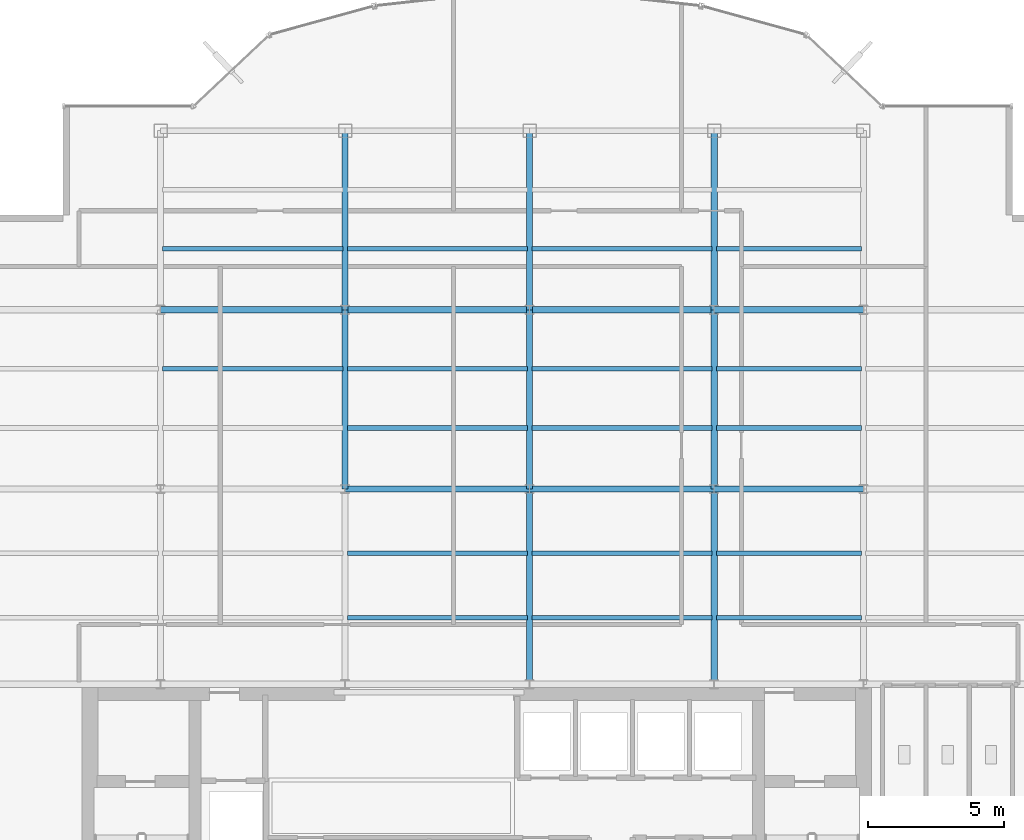
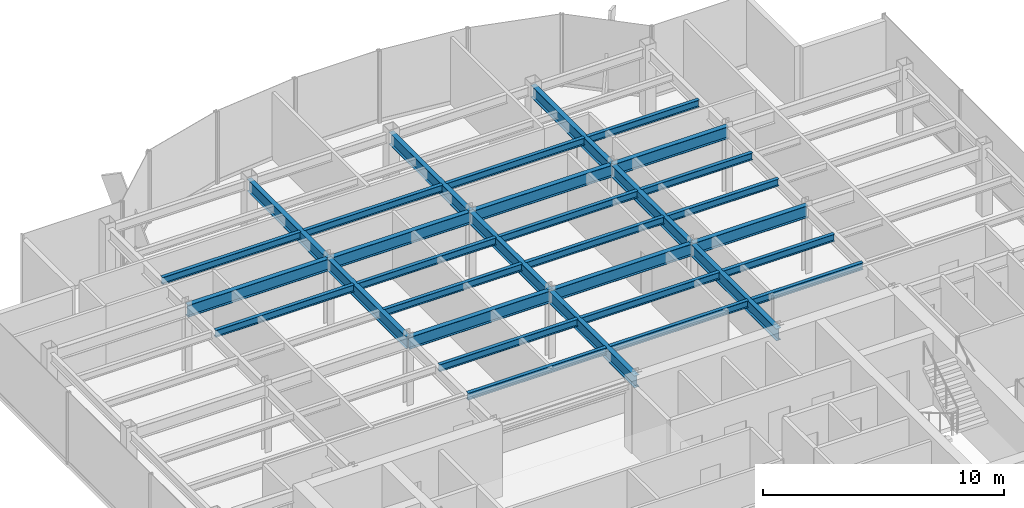
# One storey, part 8 of 22: 32 beams.
"""IFC4 building model written with IfcOpenShell, lengths in metres."""

from ifc_helpers import new_model, si_unit, derived_unit, direction, frame, origin, origin_2d, place, context, subcontext, project, spatial, i_section, extrude, source, transform, mapped, material, material_profile, profile_set, type_object, element, save


model = new_model("IFC4")

# Units and contexts
model_context = context("Model", 3, precision=1e-05, world=origin(), true_north=direction((0.0, 1.0)))
body_context = subcontext(model_context, "Body", "Model", "MODEL_VIEW")
ifc_project = project(units=[si_unit("LENGTHUNIT", "METRE"), si_unit("AREAUNIT", "SQUARE_METRE"), si_unit("VOLUMEUNIT", "CUBIC_METRE"), si_unit("PLANEANGLEUNIT", "RADIAN"), si_unit("MASSUNIT", "GRAM", prefix="KILO"), derived_unit("THERMALTRANSMITTANCEUNIT", [(si_unit("POWERUNIT", "WATT"), 1), (si_unit("LENGTHUNIT", "METRE"), -2), (si_unit("THERMODYNAMICTEMPERATUREUNIT", "KELVIN"), -1)])], contexts=[model_context])

# Site, building, storey
site_placement = place(None, origin())
site = spatial("IfcSite", under=ifc_project, at=site_placement, CompositionType="ELEMENT")
building_placement = place(site_placement, origin())
building = spatial("IfcBuilding", under=site, at=building_placement, Name="Skarnbrae Concourse Arena and Tower", CompositionType="ELEMENT")
storey_placement = place(building_placement, frame((0.0, 0.0, 203.199951171875)))
storey = spatial("IfcBuildingStorey", under=building, at=storey_placement, Name="L52", CompositionType="ELEMENT", Elevation=203.199951171875)

# Beams
ifc_material = material(Name="Steel CSA G40.21 350W", Category="steel")
ifc_material_profile_1 = material_profile(ifc_material, i_section(OverallWidth=0.22802734375, OverallDepth=0.60791015625, WebThickness=0.01123046875, FlangeThickness=0.017333984375, at=origin_2d()), Name="W610X113")
ifc_profile_set_1 = profile_set([ifc_material_profile_1], Name="Steel CSA G40.21 350W")
beam_type_1 = type_object("IfcBeamType", Name="BM-GIRD-W610X113", PredefinedType="BEAM", material=ifc_profile_set_1)
shared_shape_1 = source(origin(), body_context, "Body", "SweptSolid", [
    extrude(i_section(OverallWidth=0.22802734375, OverallDepth=0.60791015625, WebThickness=0.01123046875, FlangeThickness=0.017333984375, at=origin_2d()), origin(), (0.0, 0.0, 1.0), 6.60009765625),
])
for number, where, z_axis, x_axis, name in (
    (1, (14.39990234375, 21.199951171875, 3.095947265625), (0.0, 1.0, 0.0), (-1.0, 0.0, 0.0), "L52 Primary N-S girder X14.4-2"),
    (2, (21.199951171875, 21.199951171875, 3.095947265625), (0.0, 1.0, 0.0), (-1.0, 0.0, 0.0), "L52 Primary N-S girder X21.2-2"),
    (3, (28.0, 21.199951171875, 3.095947265625), (0.0, 1.0, 0.0), (-1.0, 0.0, 0.0), "L52 Primary N-S girder X28.0-2"),
):
    element("IfcBeam", number, at=place(storey_placement, frame(where, z_axis=z_axis, x_axis=x_axis)), inside=storey, type_object=beam_type_1, Name=name, PredefinedType="BEAM", context=body_context, shape_type="MappedRepresentation", body=[
        mapped(shared_shape_1, transform((0.0, 0.0, 0.0))),
    ])
shared_shape_2 = source(origin(), body_context, "Body", "SweptSolid", [
    extrude(i_section(OverallWidth=0.22802734375, OverallDepth=0.60791015625, WebThickness=0.01123046875, FlangeThickness=0.017333984375, at=origin_2d()), origin(), (0.0, 0.0, 1.0), 6.7998046875),
])
beam_placement = place(storey_placement, frame((7.60009765625, 27.800048828125, 3.095947265625), z_axis=(1.0, 0.0, 0.0), x_axis=(0.0, 1.0, 0.0)))
element("IfcBeam", 4, at=beam_placement, inside=storey, type_object=beam_type_1, Name="L52 Primary E-W girder Y27.8-2", PredefinedType="BEAM", context=body_context, shape_type="MappedRepresentation", body=[
    mapped(shared_shape_2, transform((0.0, 0.0, 0.0))),
])
shared_shape_3 = source(origin(), body_context, "Body", "SweptSolid", [
    extrude(i_section(OverallWidth=0.22802734375, OverallDepth=0.60791015625, WebThickness=0.01123046875, FlangeThickness=0.017333984375, at=origin_2d()), origin(), (0.0, 0.0, 1.0), 6.800048828125),
])
for number, where, z_axis, x_axis, name in (
    (5, (14.39990234375, 21.199951171875, 3.095947265625), (1.0, 0.0, 0.0), (0.0, 1.0, 0.0), "L52 Primary E-W girder Y21.2-3"),
    (6, (21.199951171875, 21.199951171875, 3.095947265625), (1.0, 0.0, 0.0), (0.0, 1.0, 0.0), "L52 Primary E-W girder Y21.2-4"),
    (7, (14.39990234375, 27.800048828125, 3.095947265625), (1.0, 0.0, 0.0), (0.0, 1.0, 0.0), "L52 Primary E-W girder Y27.8-3"),
    (8, (21.199951171875, 27.800048828125, 3.095947265625), (1.0, 0.0, 0.0), (0.0, 1.0, 0.0), "L52 Primary E-W girder Y27.8-4"),
):
    element("IfcBeam", number, at=place(storey_placement, frame(where, z_axis=z_axis, x_axis=x_axis)), inside=storey, type_object=beam_type_1, Name=name, PredefinedType="BEAM", context=body_context, shape_type="MappedRepresentation", body=[
        mapped(shared_shape_3, transform((0.0, 0.0, 0.0))),
    ])
shared_shape_4 = source(origin(), body_context, "Body", "SweptSolid", [
    extrude(i_section(OverallWidth=0.22802734375, OverallDepth=0.60791015625, WebThickness=0.01123046875, FlangeThickness=0.017333984375, at=origin_2d()), origin(), (0.0, 0.0, 1.0), 5.5),
])
for number, where, z_axis, x_axis, name in (
    (9, (28.0, 21.199951171875, 3.095947265625), (1.0, 0.0, 0.0), (0.0, 1.0, 0.0), "L52 Primary E-W girder Y21.2-5"),
    (10, (28.0, 27.800048828125, 3.095947265625), (1.0, 0.0, 0.0), (0.0, 1.0, 0.0), "L52 Primary E-W girder Y27.8-5"),
):
    element("IfcBeam", number, at=place(storey_placement, frame(where, z_axis=z_axis, x_axis=x_axis)), inside=storey, type_object=beam_type_1, Name=name, PredefinedType="BEAM", context=body_context, shape_type="MappedRepresentation", body=[
        mapped(shared_shape_4, transform((0.0, 0.0, 0.0))),
    ])
shared_shape_5 = source(origin(), body_context, "Body", "SweptSolid", [
    extrude(i_section(OverallWidth=0.22802734375, OverallDepth=0.60791015625, WebThickness=0.01123046875, FlangeThickness=0.017333984375, at=origin_2d()), origin(), (0.0, 0.0, 1.0), 7.199951171875),
])
for number, where, z_axis, x_axis, name in (
    (11, (21.199951171875, 14.0, 3.095947265625), (0.0, 1.0, 0.0), (-1.0, 0.0, 0.0), "L52 Primary N-S girder X21.2-1"),
    (12, (28.0, 14.0, 3.095947265625), (0.0, 1.0, 0.0), (-1.0, 0.0, 0.0), "L52 Primary N-S girder X28.0-1"),
):
    element("IfcBeam", number, at=place(storey_placement, frame(where, z_axis=z_axis, x_axis=x_axis)), inside=storey, type_object=beam_type_1, Name=name, PredefinedType="BEAM", context=body_context, shape_type="MappedRepresentation", body=[
        mapped(shared_shape_5, transform((0.0, 0.0, 0.0))),
    ])
shared_shape_6 = source(origin(), body_context, "Body", "SweptSolid", [
    extrude(i_section(OverallWidth=0.22802734375, OverallDepth=0.60791015625, WebThickness=0.01123046875, FlangeThickness=0.017333984375, at=origin_2d()), origin(), (0.0, 0.0, 1.0), 6.599853515625),
])
for number, where, z_axis, x_axis, name in (
    (13, (14.39990234375, 27.800048828125, 3.095947265625), (0.0, 1.0, 0.0), (-1.0, 0.0, 0.0), "L52 Primary N-S girder X14.4-3"),
    (14, (21.199951171875, 27.800048828125, 3.095947265625), (0.0, 1.0, 0.0), (-1.0, 0.0, 0.0), "L52 Primary N-S girder X21.2-3"),
    (15, (28.0, 27.800048828125, 3.095947265625), (0.0, 1.0, 0.0), (-1.0, 0.0, 0.0), "L52 Primary N-S girder X28.0-3"),
):
    element("IfcBeam", number, at=place(storey_placement, frame(where, z_axis=z_axis, x_axis=x_axis)), inside=storey, type_object=beam_type_1, Name=name, PredefinedType="BEAM", context=body_context, shape_type="MappedRepresentation", body=[
        mapped(shared_shape_6, transform((0.0, 0.0, 0.0))),
    ])
ifc_material_profile_2 = material_profile(ifc_material, i_section(OverallWidth=0.1708984375, OverallDepth=0.35498046875, WebThickness=0.007080078125, FlangeThickness=0.01171875, at=origin_2d()), Name="W360X51")
ifc_profile_set_2 = profile_set([ifc_material_profile_2], Name="Steel CSA G40.21 350W")
beam_type_2 = type_object("IfcBeamType", Name="BM-JOIST-W360X51", PredefinedType="JOIST", material=ifc_profile_set_2)
shared_shape_7 = source(origin(), body_context, "Body", "SweptSolid", [
    extrude(i_section(OverallWidth=0.1708984375, OverallDepth=0.35498046875, WebThickness=0.007080078125, FlangeThickness=0.01171875, at=origin_2d()), origin(), (0.0, 0.0, 1.0), 6.64013671875),
])
for number, where, z_axis, x_axis, name in (
    (16, (14.47998046875, 16.447998046875, 3.22265625), (1.0, 0.0, 0.0), (0.0, 1.0, 0.0), "L52 Secondary floor joist 1.1.3"),
    (17, (14.47998046875, 18.823974609375, 3.22265625), (1.0, 0.0, 0.0), (0.0, 1.0, 0.0), "L52 Secondary floor joist 1.2.3"),
    (18, (14.47998046875, 23.444091796875, 3.22265625), (1.0, 0.0, 0.0), (0.0, 1.0, 0.0), "L52 Secondary floor joist 2.1.3"),
    (19, (7.679931640625, 25.6220703125, 3.22265625), (1.0, 0.0, 0.0), (0.0, 1.0, 0.0), "L52 Secondary floor joist 2.2.2"),
    (20, (14.47998046875, 25.6220703125, 3.22265625), (1.0, 0.0, 0.0), (0.0, 1.0, 0.0), "L52 Secondary floor joist 2.2.3"),
    (21, (7.679931640625, 30.0439453125, 3.22265625), (1.0, 0.0, 0.0), (0.0, 1.0, 0.0), "L52 Secondary floor joist 3.1.1"),
    (22, (14.47998046875, 30.0439453125, 3.22265625), (1.0, 0.0, 0.0), (0.0, 1.0, 0.0), "L52 Secondary floor joist 3.1.2"),
):
    element("IfcBeam", number, at=place(storey_placement, frame(where, z_axis=z_axis, x_axis=x_axis)), inside=storey, type_object=beam_type_2, Name=name, PredefinedType="JOIST", context=body_context, shape_type="MappedRepresentation", body=[
        mapped(shared_shape_7, transform((0.0, 0.0, 0.0))),
    ])
shared_shape_8 = source(origin(), body_context, "Body", "SweptSolid", [
    extrude(i_section(OverallWidth=0.1708984375, OverallDepth=0.35498046875, WebThickness=0.007080078125, FlangeThickness=0.01171875, at=origin_2d()), origin(), (0.0, 0.0, 1.0), 6.639892578125),
])
for number, where, z_axis, x_axis, name in (
    (23, (21.280029296875, 16.447998046875, 3.22265625), (1.0, 0.0, 0.0), (0.0, 1.0, 0.0), "L52 Secondary floor joist 1.1.4"),
    (24, (21.280029296875, 18.823974609375, 3.22265625), (1.0, 0.0, 0.0), (0.0, 1.0, 0.0), "L52 Secondary floor joist 1.2.4"),
    (25, (21.280029296875, 23.444091796875, 3.22265625), (1.0, 0.0, 0.0), (0.0, 1.0, 0.0), "L52 Secondary floor joist 2.1.4"),
    (26, (21.280029296875, 25.6220703125, 3.22265625), (1.0, 0.0, 0.0), (0.0, 1.0, 0.0), "L52 Secondary floor joist 2.2.4"),
    (27, (21.280029296875, 30.0439453125, 3.22265625), (1.0, 0.0, 0.0), (0.0, 1.0, 0.0), "L52 Secondary floor joist 3.1.3"),
):
    element("IfcBeam", number, at=place(storey_placement, frame(where, z_axis=z_axis, x_axis=x_axis)), inside=storey, type_object=beam_type_2, Name=name, PredefinedType="JOIST", context=body_context, shape_type="MappedRepresentation", body=[
        mapped(shared_shape_8, transform((0.0, 0.0, 0.0))),
    ])
shared_shape_9 = source(origin(), body_context, "Body", "SweptSolid", [
    extrude(i_section(OverallWidth=0.1708984375, OverallDepth=0.35498046875, WebThickness=0.007080078125, FlangeThickness=0.01171875, at=origin_2d()), origin(), (0.0, 0.0, 1.0), 5.33984375),
])
for number, where, z_axis, x_axis, name in (
    (28, (28.080078125, 16.447998046875, 3.22265625), (1.0, 0.0, 0.0), (0.0, 1.0, 0.0), "L52 Secondary floor joist 1.1.5"),
    (29, (28.080078125, 18.823974609375, 3.22265625), (1.0, 0.0, 0.0), (0.0, 1.0, 0.0), "L52 Secondary floor joist 1.2.5"),
    (30, (28.080078125, 23.444091796875, 3.22265625), (1.0, 0.0, 0.0), (0.0, 1.0, 0.0), "L52 Secondary floor joist 2.1.5"),
    (31, (28.080078125, 25.6220703125, 3.22265625), (1.0, 0.0, 0.0), (0.0, 1.0, 0.0), "L52 Secondary floor joist 2.2.5"),
    (32, (28.080078125, 30.0439453125, 3.22265625), (1.0, 0.0, 0.0), (0.0, 1.0, 0.0), "L52 Secondary floor joist 3.1.4"),
):
    element("IfcBeam", number, at=place(storey_placement, frame(where, z_axis=z_axis, x_axis=x_axis)), inside=storey, type_object=beam_type_2, Name=name, PredefinedType="JOIST", context=body_context, shape_type="MappedRepresentation", body=[
        mapped(shared_shape_9, transform((0.0, 0.0, 0.0))),
    ])

save(model, "model.ifc")
